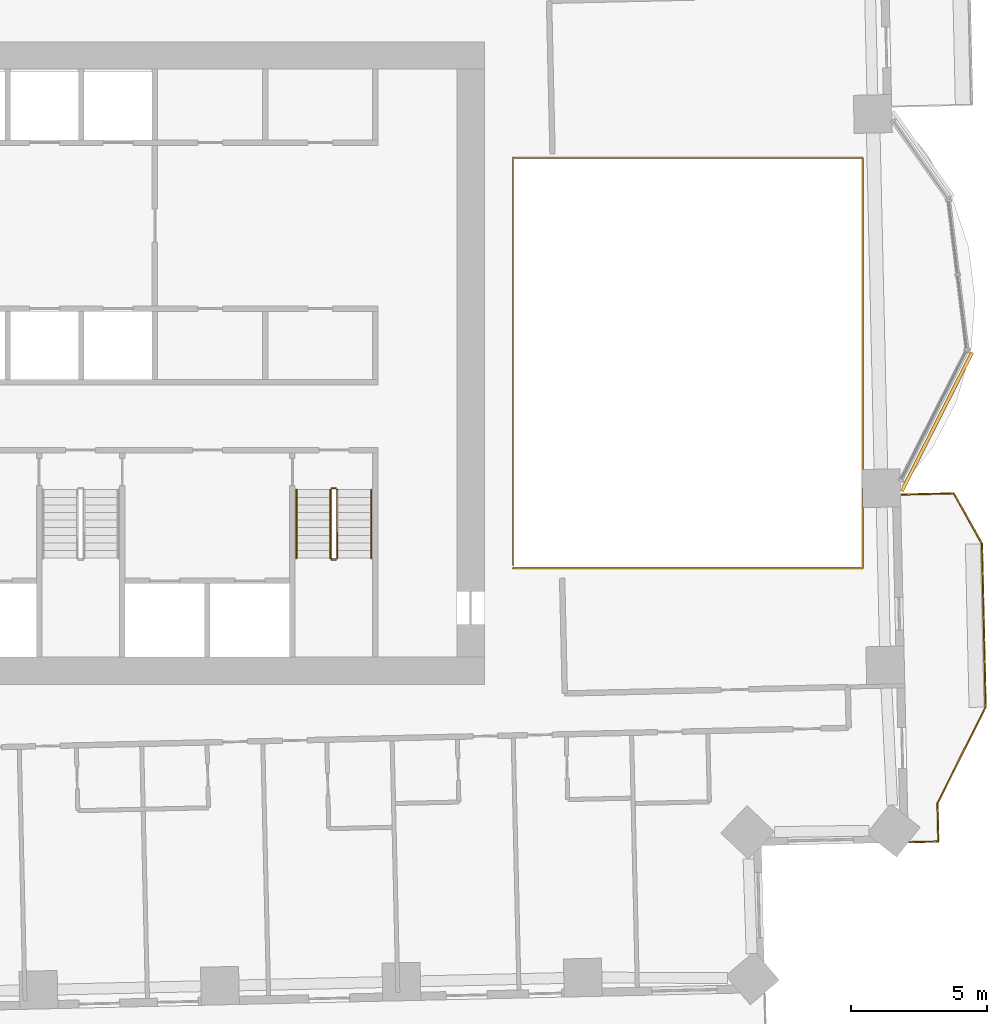
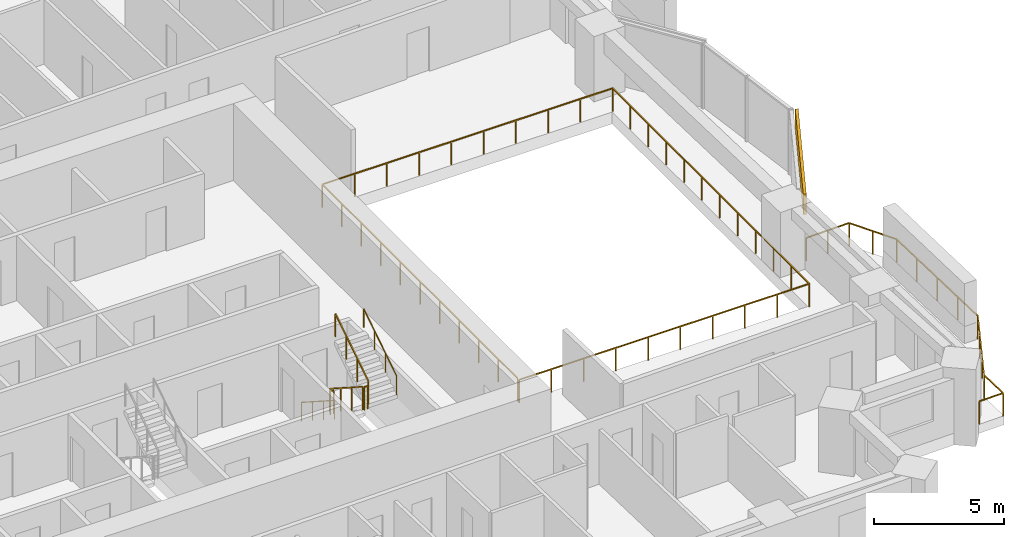
# One storey, part 16 of 17: 8 railings, 1 covering.
"""IFC4 building model written with IfcOpenShell, lengths in metres."""

from ifc_helpers import new_model, si_unit, direction, frame, frame_2d, origin, origin_2d, place, context, subcontext, project, spatial, rectangle, circle, extrude, material, layer, layer_set, type_object, element, save


model = new_model("IFC4")

# Units and contexts
model_context = context("Model", 3, precision=1e-05, world=origin(), true_north=direction((0.0, 1.0)))
body_context = subcontext(model_context, "Body", "Model", "MODEL_VIEW")
ifc_project = project(units=[si_unit("LENGTHUNIT", "METRE"), si_unit("AREAUNIT", "SQUARE_METRE"), si_unit("VOLUMEUNIT", "CUBIC_METRE"), si_unit("PLANEANGLEUNIT", "RADIAN"), si_unit("MASSUNIT", "GRAM", prefix="KILO")], contexts=[model_context])

# Site, building, storey
site_placement = place(None, origin())
site = spatial("IfcSite", under=ifc_project, at=site_placement, CompositionType="ELEMENT")
building_placement = place(site_placement, origin())
building = spatial("IfcBuilding", under=site, at=building_placement, Name="Mangrove Gate Tower", CompositionType="ELEMENT")
storey_placement = place(building_placement, frame((0.0, 0.0, 93.699951171875)))
storey = spatial("IfcBuildingStorey", under=building, at=storey_placement, Name="L23", CompositionType="ELEMENT", Elevation=93.699951171875)

# Railings
ifc_material_1 = material(Name="Stainless steel grade 316 with laminated glass infill", Category="steel")
railing_type_1 = type_object("IfcRailingType", Name="Balcony guard 1100", PredefinedType="GUARDRAIL", material=ifc_material_1)
railing_1_placement = place(storey_placement, frame((30.419921875, -17.60107421875, 0.0)))
element("IfcRailing", 1, at=railing_1_placement, inside=storey, type_object=railing_type_1, Name="GUARD L23 E1", PredefinedType="GUARDRAIL", context=body_context, shape_type="SweptSolid", body=[
    extrude(rectangle(XDim=0.048095703125, YDim=0.048095703125, at=origin_2d()), frame((0.0, 0.0, 1.076171875), z_axis=(0.999740168701, 0.022794628443, 0.0), x_axis=(-0.022794628443, 0.999740168701, 0.0)), (0.0, 0.0, 1.0), 1.060302734375),
    extrude(rectangle(XDim=0.048095703125, YDim=0.048095703125, at=origin_2d()), frame((1.06005859375, 0.024169921875, 1.076171875), z_axis=(-0.022856156732, 0.999738763928, 0.0), x_axis=(-0.999738763928, -0.022856156732, 0.0)), (0.0, 0.0, 1.0), 1.399169921875),
    extrude(rectangle(XDim=0.048095703125, YDim=0.048095703125, at=origin_2d()), frame((1.028076171875, 1.423095703125, 1.076171875), z_axis=(0.447016280881, 0.894525821107, 0.0), x_axis=(-0.894525821107, 0.447016280881, 0.0)), (0.0, 0.0, 1.0), 3.959716796875),
    extrude(rectangle(XDim=0.048095703125, YDim=0.048095703125, at=origin_2d()), frame((2.798095703125, 4.965087890625, 1.076171875), z_axis=(-0.022665943652, 0.999743094499, 0.0), x_axis=(-0.999743094499, -0.022665943652, 0.0)), (0.0, 0.0, 1.0), 5.99951171875),
    extrude(rectangle(XDim=0.048095703125, YDim=0.048095703125, at=origin_2d()), frame((2.662109375, 10.963134765625, 1.076171875), z_axis=(-0.487098711433, 0.873346921515, 0.0), x_axis=(-0.873346921515, -0.487098711433, 0.0)), (0.0, 0.0, 1.0), 2.12060546875),
    extrude(rectangle(XDim=0.048095703125, YDim=0.048095703125, at=origin_2d()), frame((1.629150390625, 12.815185546875, 1.076171875), z_axis=(-0.999735028648, -0.023018959443, 0.0), x_axis=(0.023018959443, -0.999735028648, 0.0)), (0.0, 0.0, 1.0), 1.919677734375),
    extrude(rectangle(XDim=0.0419921875, YDim=0.0419921875, at=origin_2d()), origin(), (0.0, 0.0, 1.0), 1.052001953125),
    extrude(rectangle(XDim=0.0419921875, YDim=0.0419921875, at=origin_2d()), frame((1.06005859375, 0.024169921875, 0.0)), (0.0, 0.0, 1.0), 1.052001953125),
    extrude(rectangle(XDim=0.0419921875, YDim=0.0419921875, at=origin_2d()), frame((1.028076171875, 1.423095703125, 0.0)), (0.0, 0.0, 1.0), 1.052001953125),
    extrude(rectangle(XDim=0.0419921875, YDim=0.0419921875, at=origin_2d()), frame((1.6181640625, 2.603759765625, 0.0)), (0.0, 0.0, 1.0), 1.052001953125),
    extrude(rectangle(XDim=0.0419921875, YDim=0.0419921875, at=origin_2d()), frame((2.2080078125, 3.784423828125, 0.0)), (0.0, 0.0, 1.0), 1.052001953125),
    extrude(rectangle(XDim=0.0419921875, YDim=0.0419921875, at=origin_2d()), frame((2.798095703125, 4.965087890625, 0.0)), (0.0, 0.0, 1.0), 1.052001953125),
    extrude(rectangle(XDim=0.0419921875, YDim=0.0419921875, at=origin_2d()), frame((2.76416015625, 6.464599609375, 0.0)), (0.0, 0.0, 1.0), 1.052001953125),
    extrude(rectangle(XDim=0.0419921875, YDim=0.0419921875, at=origin_2d()), frame((2.72998046875, 7.964111328125, 0.0)), (0.0, 0.0, 1.0), 1.052001953125),
    extrude(rectangle(XDim=0.0419921875, YDim=0.0419921875, at=origin_2d()), frame((2.696044921875, 9.463623046875, 0.0)), (0.0, 0.0, 1.0), 1.052001953125),
    extrude(rectangle(XDim=0.0419921875, YDim=0.0419921875, at=origin_2d()), frame((2.662109375, 10.963134765625, 0.0)), (0.0, 0.0, 1.0), 1.052001953125),
    extrude(rectangle(XDim=0.0419921875, YDim=0.0419921875, at=origin_2d()), frame((2.1455078125, 11.88916015625, 0.0)), (0.0, 0.0, 1.0), 1.052001953125),
    extrude(rectangle(XDim=0.0419921875, YDim=0.0419921875, at=origin_2d()), frame((1.629150390625, 12.815185546875, 0.0)), (0.0, 0.0, 1.0), 1.052001953125),
    extrude(rectangle(XDim=0.0419921875, YDim=0.0419921875, at=origin_2d()), frame((0.66943359375, 12.79296875, 0.0)), (0.0, 0.0, 1.0), 1.052001953125),
    extrude(rectangle(XDim=0.0419921875, YDim=0.0419921875, at=origin_2d()), frame((-0.2900390625, 12.77099609375, 0.0)), (0.0, 0.0, 1.0), 1.052001953125),
])
railing_2_placement = place(storey_placement, frame((15.860107421875, -7.5400390625, 0.0)))
element("IfcRailing", 2, at=railing_2_placement, inside=storey, type_object=railing_type_1, Name="GUARD L23 atrium", PredefinedType="GUARDRAIL", context=body_context, shape_type="SweptSolid", body=[
    extrude(rectangle(XDim=0.048095703125, YDim=0.048095703125, at=origin_2d()), frame((0.0, 0.0, 1.076171875), z_axis=(1.0, 0.0, 0.0), x_axis=(0.0, 1.0, 0.0)), (0.0, 0.0, 1.0), 12.8388671875),
    extrude(rectangle(XDim=0.048095703125, YDim=0.048095703125, at=origin_2d()), frame((12.8388671875, 0.0, 1.076171875), z_axis=(0.0, 1.0, 0.0), x_axis=(-1.0, 0.0, 0.0)), (0.0, 0.0, 1.0), 15.080078125),
    extrude(rectangle(XDim=0.048095703125, YDim=0.048095703125, at=origin_2d()), frame((12.8388671875, 15.080078125, 1.076171875), z_axis=(-1.0, 0.0, 0.0), x_axis=(0.0, -1.0, 0.0)), (0.0, 0.0, 1.0), 12.8388671875),
    extrude(rectangle(XDim=0.048095703125, YDim=0.048095703125, at=origin_2d()), frame((0.0, 15.080078125, 1.076171875), z_axis=(0.0, -1.0, 0.0), x_axis=(1.0, 0.0, 0.0)), (0.0, 0.0, 1.0), 14.9599609375),
    extrude(rectangle(XDim=0.0419921875, YDim=0.0419921875, at=origin_2d()), origin(), (0.0, 0.0, 1.0), 1.052001953125),
    extrude(rectangle(XDim=0.0419921875, YDim=0.0419921875, at=origin_2d()), frame((1.426513671875, 0.0, 0.0)), (0.0, 0.0, 1.0), 1.052001953125),
    extrude(rectangle(XDim=0.0419921875, YDim=0.0419921875, at=origin_2d()), frame((2.85302734375, 0.0, 0.0)), (0.0, 0.0, 1.0), 1.052001953125),
    extrude(rectangle(XDim=0.0419921875, YDim=0.0419921875, at=origin_2d()), frame((4.279541015625, 0.0, 0.0)), (0.0, 0.0, 1.0), 1.052001953125),
    extrude(rectangle(XDim=0.0419921875, YDim=0.0419921875, at=origin_2d()), frame((5.7060546875, 0.0, 0.0)), (0.0, 0.0, 1.0), 1.052001953125),
    extrude(rectangle(XDim=0.0419921875, YDim=0.0419921875, at=origin_2d()), frame((7.1328125, 0.0, 0.0)), (0.0, 0.0, 1.0), 1.052001953125),
    extrude(rectangle(XDim=0.0419921875, YDim=0.0419921875, at=origin_2d()), frame((8.559326171875, 0.0, 0.0)), (0.0, 0.0, 1.0), 1.052001953125),
    extrude(rectangle(XDim=0.0419921875, YDim=0.0419921875, at=origin_2d()), frame((9.98583984375, 0.0, 0.0)), (0.0, 0.0, 1.0), 1.052001953125),
    extrude(rectangle(XDim=0.0419921875, YDim=0.0419921875, at=origin_2d()), frame((11.412353515625, 0.0, 0.0)), (0.0, 0.0, 1.0), 1.052001953125),
    extrude(rectangle(XDim=0.0419921875, YDim=0.0419921875, at=origin_2d()), frame((12.8388671875, 0.0, 0.0)), (0.0, 0.0, 1.0), 1.052001953125),
    extrude(rectangle(XDim=0.0419921875, YDim=0.0419921875, at=origin_2d()), frame((12.8388671875, 1.370849609375, 0.0)), (0.0, 0.0, 1.0), 1.052001953125),
    extrude(rectangle(XDim=0.0419921875, YDim=0.0419921875, at=origin_2d()), frame((12.8388671875, 2.741943359375, 0.0)), (0.0, 0.0, 1.0), 1.052001953125),
    extrude(rectangle(XDim=0.0419921875, YDim=0.0419921875, at=origin_2d()), frame((12.8388671875, 4.11279296875, 0.0)), (0.0, 0.0, 1.0), 1.052001953125),
    extrude(rectangle(XDim=0.0419921875, YDim=0.0419921875, at=origin_2d()), frame((12.8388671875, 5.483642578125, 0.0)), (0.0, 0.0, 1.0), 1.052001953125),
    extrude(rectangle(XDim=0.0419921875, YDim=0.0419921875, at=origin_2d()), frame((12.8388671875, 6.8544921875, 0.0)), (0.0, 0.0, 1.0), 1.052001953125),
    extrude(rectangle(XDim=0.0419921875, YDim=0.0419921875, at=origin_2d()), frame((12.8388671875, 8.2255859375, 0.0)), (0.0, 0.0, 1.0), 1.052001953125),
    extrude(rectangle(XDim=0.0419921875, YDim=0.0419921875, at=origin_2d()), frame((12.8388671875, 9.596435546875, 0.0)), (0.0, 0.0, 1.0), 1.052001953125),
    extrude(rectangle(XDim=0.0419921875, YDim=0.0419921875, at=origin_2d()), frame((12.8388671875, 10.96728515625, 0.0)), (0.0, 0.0, 1.0), 1.052001953125),
    extrude(rectangle(XDim=0.0419921875, YDim=0.0419921875, at=origin_2d()), frame((12.8388671875, 12.338134765625, 0.0)), (0.0, 0.0, 1.0), 1.052001953125),
    extrude(rectangle(XDim=0.0419921875, YDim=0.0419921875, at=origin_2d()), frame((12.8388671875, 13.709228515625, 0.0)), (0.0, 0.0, 1.0), 1.052001953125),
    extrude(rectangle(XDim=0.0419921875, YDim=0.0419921875, at=origin_2d()), frame((12.8388671875, 15.080078125, 0.0)), (0.0, 0.0, 1.0), 1.052001953125),
    extrude(rectangle(XDim=0.0419921875, YDim=0.0419921875, at=origin_2d()), frame((11.412353515625, 15.080078125, 0.0)), (0.0, 0.0, 1.0), 1.052001953125),
    extrude(rectangle(XDim=0.0419921875, YDim=0.0419921875, at=origin_2d()), frame((9.98583984375, 15.080078125, 0.0)), (0.0, 0.0, 1.0), 1.052001953125),
    extrude(rectangle(XDim=0.0419921875, YDim=0.0419921875, at=origin_2d()), frame((8.559326171875, 15.080078125, 0.0)), (0.0, 0.0, 1.0), 1.052001953125),
    extrude(rectangle(XDim=0.0419921875, YDim=0.0419921875, at=origin_2d()), frame((7.1328125, 15.080078125, 0.0)), (0.0, 0.0, 1.0), 1.052001953125),
    extrude(rectangle(XDim=0.0419921875, YDim=0.0419921875, at=origin_2d()), frame((5.7060546875, 15.080078125, 0.0)), (0.0, 0.0, 1.0), 1.052001953125),
    extrude(rectangle(XDim=0.0419921875, YDim=0.0419921875, at=origin_2d()), frame((4.279541015625, 15.080078125, 0.0)), (0.0, 0.0, 1.0), 1.052001953125),
    extrude(rectangle(XDim=0.0419921875, YDim=0.0419921875, at=origin_2d()), frame((2.85302734375, 15.080078125, 0.0)), (0.0, 0.0, 1.0), 1.052001953125),
    extrude(rectangle(XDim=0.0419921875, YDim=0.0419921875, at=origin_2d()), frame((1.426513671875, 15.080078125, 0.0)), (0.0, 0.0, 1.0), 1.052001953125),
    extrude(rectangle(XDim=0.0419921875, YDim=0.0419921875, at=origin_2d()), frame((0.0, 15.080078125, 0.0)), (0.0, 0.0, 1.0), 1.052001953125),
    extrude(rectangle(XDim=0.0419921875, YDim=0.0419921875, at=origin_2d()), frame((0.0, 13.583984375, 0.0)), (0.0, 0.0, 1.0), 1.052001953125),
    extrude(rectangle(XDim=0.0419921875, YDim=0.0419921875, at=origin_2d()), frame((0.0, 12.088134765625, 0.0)), (0.0, 0.0, 1.0), 1.052001953125),
    extrude(rectangle(XDim=0.0419921875, YDim=0.0419921875, at=origin_2d()), frame((0.0, 10.592041015625, 0.0)), (0.0, 0.0, 1.0), 1.052001953125),
    extrude(rectangle(XDim=0.0419921875, YDim=0.0419921875, at=origin_2d()), frame((0.0, 9.09619140625, 0.0)), (0.0, 0.0, 1.0), 1.052001953125),
    extrude(rectangle(XDim=0.0419921875, YDim=0.0419921875, at=origin_2d()), frame((0.0, 7.60009765625, 0.0)), (0.0, 0.0, 1.0), 1.052001953125),
    extrude(rectangle(XDim=0.0419921875, YDim=0.0419921875, at=origin_2d()), frame((0.0, 6.10400390625, 0.0)), (0.0, 0.0, 1.0), 1.052001953125),
    extrude(rectangle(XDim=0.0419921875, YDim=0.0419921875, at=origin_2d()), frame((0.0, 4.608154296875, 0.0)), (0.0, 0.0, 1.0), 1.052001953125),
    extrude(rectangle(XDim=0.0419921875, YDim=0.0419921875, at=origin_2d()), frame((0.0, 3.112060546875, 0.0)), (0.0, 0.0, 1.0), 1.052001953125),
    extrude(rectangle(XDim=0.0419921875, YDim=0.0419921875, at=origin_2d()), frame((0.0, 1.6162109375, 0.0)), (0.0, 0.0, 1.0), 1.052001953125),
    extrude(rectangle(XDim=0.0419921875, YDim=0.0419921875, at=origin_2d()), frame((0.0, 0.1201171875, 0.0)), (0.0, 0.0, 1.0), 1.052001953125),
])
ifc_material_2 = material(Name="Stainless steel 316", Category="steel")
railing_type_2 = type_object("IfcRailingType", Name="Core stair guard 1100", PredefinedType="GUARDRAIL", material=ifc_material_2)
railing_3_placement = place(storey_placement, frame((9.14990234375, -4.64990234375, 0.179931640625)))
element("IfcRailing", 3, at=railing_3_placement, inside=storey, type_object=railing_type_2, Name="L23 ST3 stair guard 1", PredefinedType="GUARDRAIL", context=body_context, shape_type="SweptSolid", body=[
    extrude(rectangle(XDim=0.048095703125, YDim=0.048095703125, at=origin_2d()), frame((0.0, 0.0, 1.076171875), z_axis=(0.0, -0.841162588446, 0.540782303519), x_axis=(1.0, 0.0, 0.0)), (0.0, 0.0, 1.0), 2.995849609375),
    extrude(rectangle(XDim=0.0419921875, YDim=0.0419921875, at=origin_2d()), origin(), (0.0, 0.0, 1.0), 1.052001953125),
    extrude(rectangle(XDim=0.0419921875, YDim=0.0419921875, at=origin_2d()), frame((0.0, -0.840087890625, 0.5400390625)), (0.0, 0.0, 1.0), 1.052001953125),
    extrude(rectangle(XDim=0.0419921875, YDim=0.0419921875, at=origin_2d()), frame((0.0, -1.679931640625, 1.080078125)), (0.0, 0.0, 1.0), 1.052001953125),
    extrude(rectangle(XDim=0.0419921875, YDim=0.0419921875, at=origin_2d()), frame((0.0, -2.52001953125, 1.6201171875)), (0.0, 0.0, 1.0), 1.052001953125),
])
railing_4_placement = place(storey_placement, frame((9.199951171875, -7.219970703125, 1.800048828125)))
element("IfcRailing", 4, at=railing_4_placement, inside=storey, type_object=railing_type_2, Name="L23 ST3 stair guard 2", PredefinedType="GUARDRAIL", context=body_context, shape_type="SweptSolid", body=[
    extrude(rectangle(XDim=0.048095703125, YDim=0.048095703125, at=origin_2d()), frame((0.0, 0.0, 1.076171875), z_axis=(1.0, 0.0, 0.0), x_axis=(0.0, 1.0, 0.0)), (0.0, 0.0, 1.0), 0.150146484375),
    extrude(rectangle(XDim=0.0419921875, YDim=0.0419921875, at=origin_2d()), origin(), (0.0, 0.0, 1.0), 1.052001953125),
    extrude(rectangle(XDim=0.0419921875, YDim=0.0419921875, at=origin_2d()), frame((0.150146484375, 0.0, 0.0)), (0.0, 0.0, 1.0), 1.052001953125),
])
railing_5_placement = place(storey_placement, frame((9.39990234375, -7.169921875, 1.97998046875)))
element("IfcRailing", 5, at=railing_5_placement, inside=storey, type_object=railing_type_2, Name="L23 ST3 stair guard 3", PredefinedType="GUARDRAIL", context=body_context, shape_type="SweptSolid", body=[
    extrude(rectangle(XDim=0.048095703125, YDim=0.048095703125, at=origin_2d()), frame((0.0, 0.0, 1.076171875), z_axis=(0.0, 0.841162588446, 0.540782303519), x_axis=(-1.0, 0.0, 0.0)), (0.0, 0.0, 1.0), 2.995849609375),
    extrude(rectangle(XDim=0.0419921875, YDim=0.0419921875, at=origin_2d()), origin(), (0.0, 0.0, 1.0), 1.052001953125),
    extrude(rectangle(XDim=0.0419921875, YDim=0.0419921875, at=origin_2d()), frame((0.0, 0.840087890625, 0.5400390625)), (0.0, 0.0, 1.0), 1.052001953125),
    extrude(rectangle(XDim=0.0419921875, YDim=0.0419921875, at=origin_2d()), frame((0.0, 1.679931640625, 1.080078125)), (0.0, 0.0, 1.0), 1.052001953125),
    extrude(rectangle(XDim=0.0419921875, YDim=0.0419921875, at=origin_2d()), frame((0.0, 2.52001953125, 1.6201171875)), (0.0, 0.0, 1.0), 1.052001953125),
])
railing_6_placement = place(storey_placement, frame((9.199951171875, -4.60009765625, 0.0)))
element("IfcRailing", 6, at=railing_6_placement, inside=storey, type_object=railing_type_2, Name="L23 ST3 stair guard 4", PredefinedType="GUARDRAIL", context=body_context, shape_type="SweptSolid", body=[
    extrude(rectangle(XDim=0.048095703125, YDim=0.048095703125, at=origin_2d()), frame((0.0, 0.0, 1.076171875), z_axis=(1.0, 0.0, 0.0), x_axis=(0.0, 1.0, 0.0)), (0.0, 0.0, 1.0), 0.150146484375),
    extrude(rectangle(XDim=0.0419921875, YDim=0.0419921875, at=origin_2d()), origin(), (0.0, 0.0, 1.0), 1.052001953125),
    extrude(rectangle(XDim=0.0419921875, YDim=0.0419921875, at=origin_2d()), frame((0.150146484375, 0.0, 0.0)), (0.0, 0.0, 1.0), 1.052001953125),
])
ifc_material_3 = material(Name="Stainless steel 316", Category="steel")
railing_type_3 = type_object("IfcRailingType", Name="Core stair handrail 900", PredefinedType="HANDRAIL", material=ifc_material_3)
railing_7_placement = place(storey_placement, frame((7.89990234375, -4.64990234375, 0.179931640625)))
element("IfcRailing", 7, at=railing_7_placement, inside=storey, type_object=railing_type_3, Name="L23 ST3 stair handrail 1", PredefinedType="HANDRAIL", context=body_context, shape_type="SweptSolid", body=[
    extrude(circle(Radius=0.02392578125, at=origin_2d()), frame((0.0, 0.0, 0.8759765625), z_axis=(0.0, -0.841162588446, 0.540782303519), x_axis=(1.0, 0.0, 0.0)), (0.0, 0.0, 1.0), 2.995849609375),
    extrude(circle(Radius=0.02099609375, at=origin_2d()), origin(), (0.0, 0.0, 1.0), 0.851806640625),
    extrude(circle(Radius=0.02099609375, at=origin_2d()), frame((0.0, -0.840087890625, 0.5400390625)), (0.0, 0.0, 1.0), 0.851806640625),
    extrude(circle(Radius=0.02099609375, at=origin_2d()), frame((0.0, -1.679931640625, 1.080078125)), (0.0, 0.0, 1.0), 0.851806640625),
    extrude(circle(Radius=0.02099609375, at=origin_2d()), frame((0.0, -2.52001953125, 1.6201171875)), (0.0, 0.0, 1.0), 0.851806640625),
])
railing_8_placement = place(storey_placement, frame((10.64990234375, -7.169921875, 1.97998046875)))
element("IfcRailing", 8, at=railing_8_placement, inside=storey, type_object=railing_type_3, Name="L23 ST3 stair handrail 2", PredefinedType="HANDRAIL", context=body_context, shape_type="SweptSolid", body=[
    extrude(circle(Radius=0.02392578125, at=origin_2d()), frame((0.0, 0.0, 0.8759765625), z_axis=(0.0, 0.841162588446, 0.540782303519), x_axis=(-1.0, 0.0, 0.0)), (0.0, 0.0, 1.0), 2.995849609375),
    extrude(circle(Radius=0.02099609375, at=origin_2d()), origin(), (0.0, 0.0, 1.0), 0.851806640625),
    extrude(circle(Radius=0.02099609375, at=origin_2d()), frame((0.0, 0.840087890625, 0.5400390625)), (0.0, 0.0, 1.0), 0.851806640625),
    extrude(circle(Radius=0.02099609375, at=origin_2d()), frame((0.0, 1.679931640625, 1.080078125)), (0.0, 0.0, 1.0), 0.851806640625),
    extrude(circle(Radius=0.02099609375, at=origin_2d()), frame((0.0, 2.52001953125, 1.6201171875)), (0.0, 0.0, 1.0), 0.851806640625),
])

# Covering
ifc_material_4 = material(Name="Limestone", Category="masonry")
ifc_layer_1 = layer(ifc_material_4, 0.0400390625, Name="Limestone cladding")
ifc_material_5 = material(Name="Stainless steel anchors and cavity", Category="steel")
ifc_layer_2 = layer(ifc_material_5, 0.080078125, Name="Fixing cavity")
ifc_layer_set = layer_set([ifc_layer_1, ifc_layer_2], Name="Joint fascia cladding 120")
covering_type = type_object("IfcCoveringType", Name="Joint fascia cladding 120", PredefinedType="CLADDING", material=ifc_layer_set)
covering_placement = place(storey_placement, frame((30.13720703125, -4.705322265625, 2.10009765625), z_axis=(0.0, 0.0, 1.0), x_axis=(0.452477241859, 0.891775950337, 0.0)))
element("IfcCovering", 9, at=covering_placement, inside=storey, type_object=covering_type, Name="STONE FASCIA L23 E1.L1", PredefinedType="CLADDING", context=body_context, shape_type="SweptSolid", body=[
    extrude(rectangle(XDim=5.705810546875, YDim=0.1201171875, at=frame_2d((2.85302734375, 0.0))), origin(), (0.0, 0.0, 1.0), 0.949951171875),
])

save(model, "model.ifc")
